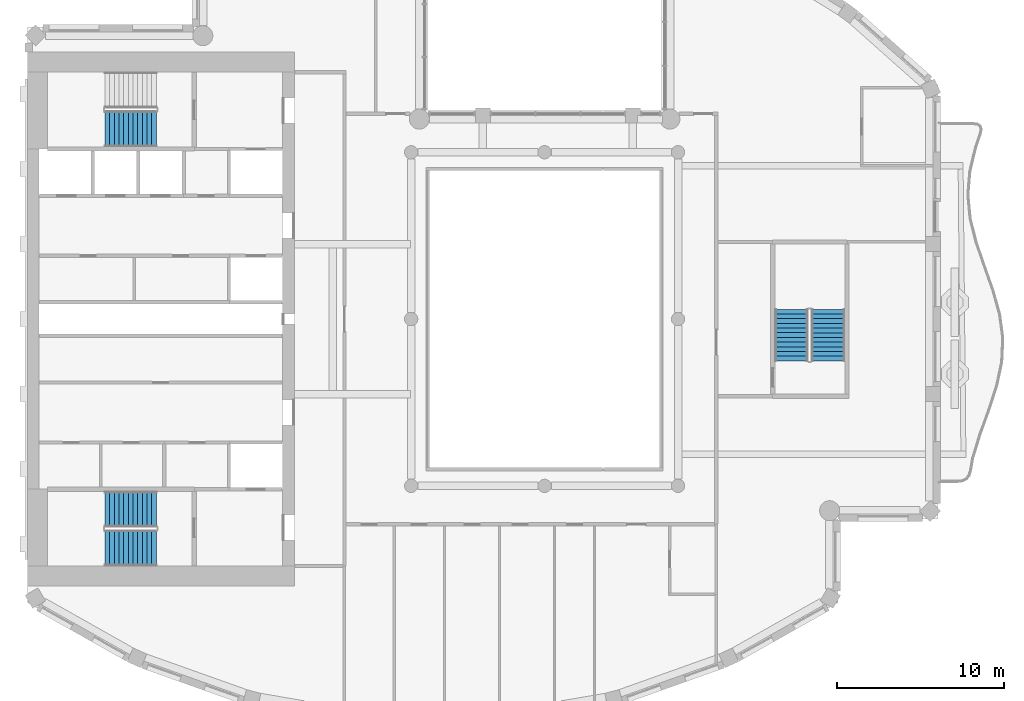
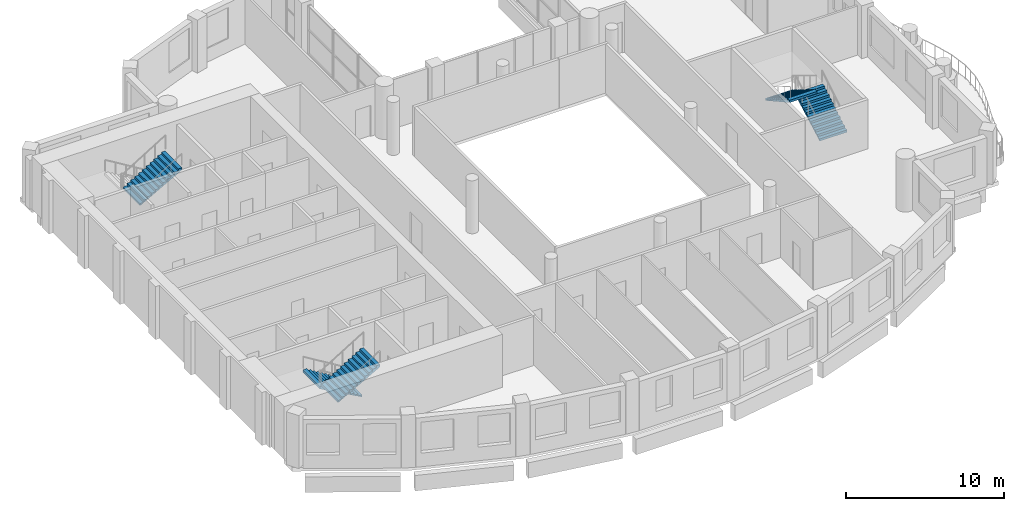
# One storey, part 9 of 15: 5 stair flights, 3 elements without a shape of their own.
"""IFC4 building model written with IfcOpenShell, lengths in metres."""

from ifc_helpers import new_model, si_unit, direction, frame, origin, place, context, subcontext, project, spatial, triangles, material, type_object, element, aggregate, save


model = new_model("IFC4")

# Units and contexts
model_context = context("Model", 3, precision=1e-05, world=origin(), true_north=direction((0.0, 1.0)))
body_context = subcontext(model_context, "Body", "Model", "MODEL_VIEW")
ifc_project = project(units=[si_unit("LENGTHUNIT", "METRE"), si_unit("AREAUNIT", "SQUARE_METRE"), si_unit("VOLUMEUNIT", "CUBIC_METRE"), si_unit("PLANEANGLEUNIT", "RADIAN"), si_unit("MASSUNIT", "GRAM", prefix="KILO")], contexts=[model_context])

# Site, building, storey
site_placement = place(None, origin())
site = spatial("IfcSite", under=ifc_project, at=site_placement, CompositionType="ELEMENT")
building_placement = place(site_placement, origin())
building = spatial("IfcBuilding", under=site, at=building_placement, Name="Cypress Arch Tower", CompositionType="ELEMENT")
storey_placement = place(building_placement, frame((0.0, 0.0, 309.0)))
storey = spatial("IfcBuildingStorey", under=building, at=storey_placement, Name="L70", CompositionType="ELEMENT", Elevation=309.0)

# Stair, stair flights
ifc_material_1 = material(Name="Concrete C40/50", Category="concrete")
stair_type_1 = type_object("IfcStairType", Name="Exit stair ES1708-200", PredefinedType="HALF_TURN_STAIR", material=ifc_material_1)
stair_1_placement = place(storey_placement, origin())
stair_1 = element("IfcStair", 1, at=stair_1_placement, inside=storey, type_object=stair_type_1, Name="L70 Exit stair C", PredefinedType="HALF_TURN_STAIR")
ifc_material_2 = material(Name="Concrete C40/50", Category="concrete")
stair_flight_type_1 = type_object("IfcStairFlightType", Name="Exit stair flight ES1708-200", PredefinedType="STRAIGHT", material=ifc_material_2)
stair_flight_1_placement = place(storey_placement, frame((18.0, -2.5, 0.0), z_axis=(0.0, 0.0, 1.0), x_axis=(0.0, 1.0, 0.0)))
stair_flight_1 = element("IfcStairFlight", 2, at=stair_flight_1_placement, type_object=stair_flight_type_1, Name="C flight 1", NumberOfRisers=12, NumberOfTreads=11, PredefinedType="STRAIGHT", RiserHeight=0.170833333, TreadLength=0.28, context=body_context, shape_type="Tessellation", body=[
    triangles([(0.0, -1.0, 0.0), (0.0, -1.0, 0.1708984375), (0.280029296875, -1.0, 0.1708984375), (0.280029296875, -1.0, 0.341552734375), (0.56005859375, -1.0, 0.341552734375), (0.56005859375, -1.0, 0.512451171875), (0.840087890625, -1.0, 0.512451171875), (0.840087890625, -1.0, 0.683349609375), (1.1201171875, -1.0, 0.683349609375), (1.1201171875, -1.0, 0.854248046875), (1.39990234375, -1.0, 0.854248046875), (1.39990234375, -1.0, 1.02490234375), (1.679931640625, -1.0, 1.02490234375), (1.679931640625, -1.0, 1.19580078125), (1.9599609375, -1.0, 1.19580078125), (1.9599609375, -1.0, 1.36669921875), (2.239990234375, -1.0, 1.36669921875), (2.239990234375, -1.0, 1.53759765625), (2.52001953125, -1.0, 1.53759765625), (2.52001953125, -1.0, 1.708251953125), (2.800048828125, -1.0, 1.708251953125), (2.800048828125, -1.0, 1.879150390625), (3.080078125, -1.0, 1.879150390625), (3.080078125, -1.0, 1.70361328125), (3.080078125, 1.0, 1.70361328125), (3.080078125, 1.0, 1.879150390625), (2.800048828125, 1.0, 1.879150390625), (2.800048828125, 1.0, 1.708251953125), (2.52001953125, 1.0, 1.708251953125), (2.52001953125, 1.0, 1.53759765625), (2.239990234375, 1.0, 1.53759765625), (2.239990234375, 1.0, 1.36669921875), (1.9599609375, 1.0, 1.36669921875), (1.9599609375, 1.0, 1.19580078125), (1.679931640625, 1.0, 1.19580078125), (1.679931640625, 1.0, 1.02490234375), (1.39990234375, 1.0, 1.02490234375), (1.39990234375, 1.0, 0.854248046875), (1.1201171875, 1.0, 0.854248046875), (1.1201171875, 1.0, 0.683349609375), (0.840087890625, 1.0, 0.683349609375), (0.840087890625, 1.0, 0.512451171875), (0.56005859375, 1.0, 0.512451171875), (0.56005859375, 1.0, 0.341552734375), (0.280029296875, 1.0, 0.341552734375), (0.280029296875, 1.0, 0.1708984375), (0.0, 1.0, 0.1708984375), (0.0, 1.0, 0.0), (3.080078125, 0.0, 1.879150390625), (3.080078125, 0.0, 1.70361328125), (2.800048828125, 0.0, 1.879150390625), (2.800048828125, 0.0, 1.708251953125), (2.52001953125, 0.0, 1.708251953125), (2.52001953125, 0.0, 1.53759765625), (2.239990234375, 0.0, 1.53759765625), (2.239990234375, 0.0, 1.36669921875), (1.9599609375, 0.0, 1.36669921875), (1.9599609375, 0.0, 1.19580078125), (1.679931640625, 0.0, 1.19580078125), (1.679931640625, 0.0, 1.02490234375), (1.39990234375, 0.0, 1.02490234375), (1.39990234375, 0.0, 0.854248046875), (1.1201171875, 0.0, 0.854248046875), (1.1201171875, 0.0, 0.683349609375), (0.840087890625, 0.0, 0.683349609375), (0.840087890625, 0.0, 0.512451171875), (0.56005859375, 0.0, 0.512451171875), (0.56005859375, 0.0, 0.341552734375), (0.280029296875, 0.0, 0.341552734375), (0.280029296875, 0.0, 0.1708984375), (0.0, 0.0, 0.1708984375), (0.0, 0.0, 0.0)], [[24, 23, 22], [11, 10, 9], [19, 18, 17], [17, 16, 15], [15, 14, 13], [9, 8, 7], [7, 6, 5], [3, 2, 1], [21, 20, 19], [13, 12, 11], [5, 4, 3], [24, 22, 21], [24, 21, 19], [24, 19, 17], [24, 17, 15], [24, 15, 13], [24, 13, 11], [24, 11, 9], [24, 9, 7], [24, 7, 5], [1, 24, 5], [5, 3, 1], [25, 27, 26], [38, 40, 39], [30, 32, 31], [32, 34, 33], [34, 36, 35], [40, 42, 41], [42, 44, 43], [46, 48, 47], [28, 30, 29], [36, 38, 37], [44, 46, 45], [25, 28, 27], [25, 30, 28], [25, 32, 30], [25, 34, 32], [25, 36, 34], [25, 38, 36], [25, 40, 38], [25, 42, 40], [25, 44, 42], [48, 44, 25], [44, 48, 46], [50, 49, 23], [50, 23, 24], [25, 26, 49], [25, 49, 50], [49, 51, 22], [49, 22, 23], [26, 27, 51], [26, 51, 49], [51, 52, 21], [51, 21, 22], [27, 28, 52], [27, 52, 51], [52, 53, 20], [52, 20, 21], [28, 29, 53], [28, 53, 52], [53, 54, 19], [53, 19, 20], [29, 30, 54], [29, 54, 53], [54, 55, 18], [54, 18, 19], [30, 31, 55], [30, 55, 54], [55, 56, 17], [55, 17, 18], [31, 32, 56], [31, 56, 55], [56, 57, 16], [56, 16, 17], [32, 33, 57], [32, 57, 56], [57, 58, 15], [57, 15, 16], [33, 34, 58], [33, 58, 57], [58, 59, 14], [58, 14, 15], [34, 35, 59], [34, 59, 58], [59, 60, 13], [59, 13, 14], [35, 36, 60], [35, 60, 59], [60, 61, 12], [60, 12, 13], [36, 37, 61], [36, 61, 60], [61, 62, 11], [61, 11, 12], [37, 38, 62], [37, 62, 61], [62, 63, 10], [62, 10, 11], [38, 39, 63], [38, 63, 62], [63, 64, 9], [63, 9, 10], [39, 40, 64], [39, 64, 63], [64, 65, 8], [64, 8, 9], [40, 41, 65], [40, 65, 64], [65, 66, 7], [65, 7, 8], [41, 42, 66], [41, 66, 65], [66, 67, 6], [66, 6, 7], [42, 43, 67], [42, 67, 66], [67, 68, 5], [67, 5, 6], [43, 44, 68], [43, 68, 67], [68, 69, 4], [68, 4, 5], [44, 45, 69], [44, 69, 68], [69, 70, 3], [69, 3, 4], [45, 46, 70], [45, 70, 69], [70, 71, 2], [70, 2, 3], [46, 47, 71], [46, 71, 70], [71, 72, 1], [71, 1, 2], [47, 48, 72], [47, 72, 71], [72, 50, 24], [72, 24, 1], [48, 25, 50], [48, 50, 72]], closed=True),
])
stair_flight_2_placement = place(storey_placement, frame((15.800048828125, 0.580078125, 2.050048828125), z_axis=(0.0, 0.0, 1.0), x_axis=(0.0, -1.0, 0.0)))
stair_flight_2 = element("IfcStairFlight", 3, at=stair_flight_2_placement, type_object=stair_flight_type_1, Name="C flight 2", NumberOfRisers=12, NumberOfTreads=11, PredefinedType="STRAIGHT", RiserHeight=0.170833333, TreadLength=0.28, context=body_context, shape_type="Tessellation", body=[
    triangles([(0.0, -1.0, 0.0), (0.0, -1.0, 0.1708984375), (0.280029296875, -1.0, 0.1708984375), (0.280029296875, -1.0, 0.341552734375), (0.56005859375, -1.0, 0.341552734375), (0.56005859375, -1.0, 0.512451171875), (0.840087890625, -1.0, 0.512451171875), (0.840087890625, -1.0, 0.683349609375), (1.1201171875, -1.0, 0.683349609375), (1.1201171875, -1.0, 0.854248046875), (1.39990234375, -1.0, 0.854248046875), (1.39990234375, -1.0, 1.02490234375), (1.679931640625, -1.0, 1.02490234375), (1.679931640625, -1.0, 1.19580078125), (1.9599609375, -1.0, 1.19580078125), (1.9599609375, -1.0, 1.36669921875), (2.239990234375, -1.0, 1.36669921875), (2.239990234375, -1.0, 1.53759765625), (2.52001953125, -1.0, 1.53759765625), (2.52001953125, -1.0, 1.708251953125), (2.800048828125, -1.0, 1.708251953125), (2.800048828125, -1.0, 1.879150390625), (3.080078125, -1.0, 1.879150390625), (3.080078125, -1.0, 1.70361328125), (3.080078125, 1.0, 1.70361328125), (3.080078125, 1.0, 1.879150390625), (2.800048828125, 1.0, 1.879150390625), (2.800048828125, 1.0, 1.708251953125), (2.52001953125, 1.0, 1.708251953125), (2.52001953125, 1.0, 1.53759765625), (2.239990234375, 1.0, 1.53759765625), (2.239990234375, 1.0, 1.36669921875), (1.9599609375, 1.0, 1.36669921875), (1.9599609375, 1.0, 1.19580078125), (1.679931640625, 1.0, 1.19580078125), (1.679931640625, 1.0, 1.02490234375), (1.39990234375, 1.0, 1.02490234375), (1.39990234375, 1.0, 0.854248046875), (1.1201171875, 1.0, 0.854248046875), (1.1201171875, 1.0, 0.683349609375), (0.840087890625, 1.0, 0.683349609375), (0.840087890625, 1.0, 0.512451171875), (0.56005859375, 1.0, 0.512451171875), (0.56005859375, 1.0, 0.341552734375), (0.280029296875, 1.0, 0.341552734375), (0.280029296875, 1.0, 0.1708984375), (0.0, 1.0, 0.1708984375), (0.0, 1.0, 0.0), (3.080078125, 0.0, 1.879150390625), (3.080078125, 0.0, 1.70361328125), (2.800048828125, 0.0, 1.879150390625), (2.800048828125, 0.0, 1.708251953125), (2.52001953125, 0.0, 1.708251953125), (2.52001953125, 0.0, 1.53759765625), (2.239990234375, 0.0, 1.53759765625), (2.239990234375, 0.0, 1.36669921875), (1.9599609375, 0.0, 1.36669921875), (1.9599609375, 0.0, 1.19580078125), (1.679931640625, 0.0, 1.19580078125), (1.679931640625, 0.0, 1.02490234375), (1.39990234375, 0.0, 1.02490234375), (1.39990234375, 0.0, 0.854248046875), (1.1201171875, 0.0, 0.854248046875), (1.1201171875, 0.0, 0.683349609375), (0.840087890625, 0.0, 0.683349609375), (0.840087890625, 0.0, 0.512451171875), (0.56005859375, 0.0, 0.512451171875), (0.56005859375, 0.0, 0.341552734375), (0.280029296875, 0.0, 0.341552734375), (0.280029296875, 0.0, 0.1708984375), (0.0, 0.0, 0.1708984375), (0.0, 0.0, 0.0)], [[24, 23, 22], [11, 10, 9], [19, 18, 17], [17, 16, 15], [15, 14, 13], [9, 8, 7], [7, 6, 5], [3, 2, 1], [21, 20, 19], [13, 12, 11], [5, 4, 3], [24, 22, 21], [24, 21, 19], [24, 19, 17], [24, 17, 15], [24, 15, 13], [24, 13, 11], [24, 11, 9], [24, 9, 7], [24, 7, 5], [1, 24, 5], [5, 3, 1], [25, 27, 26], [38, 40, 39], [30, 32, 31], [32, 34, 33], [34, 36, 35], [40, 42, 41], [42, 44, 43], [46, 48, 47], [28, 30, 29], [36, 38, 37], [44, 46, 45], [25, 28, 27], [25, 30, 28], [25, 32, 30], [25, 34, 32], [25, 36, 34], [25, 38, 36], [25, 40, 38], [25, 42, 40], [25, 44, 42], [48, 44, 25], [44, 48, 46], [50, 49, 23], [50, 23, 24], [25, 26, 49], [25, 49, 50], [49, 51, 22], [49, 22, 23], [26, 27, 51], [26, 51, 49], [51, 52, 21], [51, 21, 22], [27, 28, 52], [27, 52, 51], [52, 53, 20], [52, 20, 21], [28, 29, 53], [28, 53, 52], [53, 54, 19], [53, 19, 20], [29, 30, 54], [29, 54, 53], [54, 55, 18], [54, 18, 19], [30, 31, 55], [30, 55, 54], [55, 56, 17], [55, 17, 18], [31, 32, 56], [31, 56, 55], [56, 57, 16], [56, 16, 17], [32, 33, 57], [32, 57, 56], [57, 58, 15], [57, 15, 16], [33, 34, 58], [33, 58, 57], [58, 59, 14], [58, 14, 15], [34, 35, 59], [34, 59, 58], [59, 60, 13], [59, 13, 14], [35, 36, 60], [35, 60, 59], [60, 61, 12], [60, 12, 13], [36, 37, 61], [36, 61, 60], [61, 62, 11], [61, 11, 12], [37, 38, 62], [37, 62, 61], [62, 63, 10], [62, 10, 11], [38, 39, 63], [38, 63, 62], [63, 64, 9], [63, 9, 10], [39, 40, 64], [39, 64, 63], [64, 65, 8], [64, 8, 9], [40, 41, 65], [40, 65, 64], [65, 66, 7], [65, 7, 8], [41, 42, 66], [41, 66, 65], [66, 67, 6], [66, 6, 7], [42, 43, 67], [42, 67, 66], [67, 68, 5], [67, 5, 6], [43, 44, 68], [43, 68, 67], [68, 69, 4], [68, 4, 5], [44, 45, 69], [44, 69, 68], [69, 70, 3], [69, 3, 4], [45, 46, 70], [45, 70, 69], [70, 71, 2], [70, 2, 3], [46, 47, 71], [46, 71, 70], [71, 72, 1], [71, 1, 2], [47, 48, 72], [47, 72, 71], [72, 50, 24], [72, 24, 1], [48, 25, 50], [48, 50, 72]], closed=True),
])
aggregate(stair_1, [stair_flight_1, stair_flight_2])

ifc_material_3 = material(Name="Concrete C40/50", Category="concrete")
stair_type_2 = type_object("IfcStairType", Name="Exit stair ES1708-215", PredefinedType="HALF_TURN_STAIR", material=ifc_material_3)
stair_2_placement = place(storey_placement, origin())
stair_2 = element("IfcStair", 4, at=stair_2_placement, inside=storey, type_object=stair_type_2, Name="L70 Exit stair A", PredefinedType="HALF_TURN_STAIR")
ifc_material_4 = material(Name="Concrete C40/50", Category="concrete")
stair_flight_type_2 = type_object("IfcStairFlightType", Name="Exit stair flight ES1708-215", PredefinedType="STRAIGHT", material=ifc_material_4)
stair_flight_3_placement = place(storey_placement, frame((-22.27490234375, -11.39990234375, 0.0), z_axis=(0.0, 0.0, 1.0), x_axis=(-1.0, 0.0, 0.0)))
stair_flight_3 = element("IfcStairFlight", 5, at=stair_flight_3_placement, type_object=stair_flight_type_2, Name="A flight 1", NumberOfRisers=12, NumberOfTreads=11, PredefinedType="STRAIGHT", RiserHeight=0.170833333, TreadLength=0.28, context=body_context, shape_type="Tessellation", body=[
    triangles([(0.0, -1.074951171875, 0.0), (0.000244140625, -1.074951171875, 0.01904296875), (0.000244140625, -1.074951171875, 0.0380859375), (0.00048828125, -1.074951171875, 0.056884765625), (0.00048828125, -1.074951171875, 0.075927734375), (0.00048828125, -1.074951171875, 0.094970703125), (0.00048828125, -1.074951171875, 0.114013671875), (0.000244140625, -1.074951171875, 0.1328125), (0.000244140625, -1.074951171875, 0.15185546875), (0.0, -1.074951171875, 0.1708984375), (0.280029296875, -1.074951171875, 0.1708984375), (0.280029296875, -1.074951171875, 0.341552734375), (0.56005859375, -1.074951171875, 0.341552734375), (0.56005859375, -1.074951171875, 0.512451171875), (0.840087890625, -1.074951171875, 0.512451171875), (0.840087890625, -1.074951171875, 0.683349609375), (1.1201171875, -1.074951171875, 0.683349609375), (1.1201171875, -1.074951171875, 0.854248046875), (1.39990234375, -1.074951171875, 0.854248046875), (1.39990234375, -1.074951171875, 1.02490234375), (1.679931640625, -1.074951171875, 1.02490234375), (1.679931640625, -1.074951171875, 1.19580078125), (1.9599609375, -1.074951171875, 1.19580078125), (1.9599609375, -1.074951171875, 1.36669921875), (2.239990234375, -1.074951171875, 1.36669921875), (2.239990234375, -1.074951171875, 1.53759765625), (2.52001953125, -1.074951171875, 1.53759765625), (2.52001953125, -1.074951171875, 1.708251953125), (2.800048828125, -1.074951171875, 1.708251953125), (2.800048828125, -1.074951171875, 1.879150390625), (3.080078125, -1.074951171875, 1.879150390625), (3.079833984375, -1.074951171875, 1.859619140625), (3.079833984375, -1.074951171875, 1.840087890625), (3.07958984375, -1.074951171875, 1.820556640625), (3.07958984375, -1.074951171875, 1.801025390625), (3.07958984375, -1.074951171875, 1.78173828125), (3.07958984375, -1.074951171875, 1.76220703125), (3.079833984375, -1.074951171875, 1.74267578125), (3.079833984375, -1.074951171875, 1.72314453125), (3.080078125, -1.074951171875, 1.70361328125), (3.080078125, 1.074951171875, 1.70361328125), (3.079833984375, 1.074951171875, 1.72314453125), (3.079833984375, 1.074951171875, 1.74267578125), (3.07958984375, 1.074951171875, 1.76220703125), (3.07958984375, 1.074951171875, 1.78173828125), (3.07958984375, 1.074951171875, 1.801025390625), (3.07958984375, 1.074951171875, 1.820556640625), (3.079833984375, 1.074951171875, 1.840087890625), (3.079833984375, 1.074951171875, 1.859619140625), (3.080078125, 1.074951171875, 1.879150390625), (2.800048828125, 1.074951171875, 1.879150390625), (2.800048828125, 1.074951171875, 1.708251953125), (2.52001953125, 1.074951171875, 1.708251953125), (2.52001953125, 1.074951171875, 1.53759765625), (2.239990234375, 1.074951171875, 1.53759765625), (2.239990234375, 1.074951171875, 1.36669921875), (1.9599609375, 1.074951171875, 1.36669921875), (1.9599609375, 1.074951171875, 1.19580078125), (1.679931640625, 1.074951171875, 1.19580078125), (1.679931640625, 1.074951171875, 1.02490234375), (1.39990234375, 1.074951171875, 1.02490234375), (1.39990234375, 1.074951171875, 0.854248046875), (1.1201171875, 1.074951171875, 0.854248046875), (1.1201171875, 1.074951171875, 0.683349609375), (0.840087890625, 1.074951171875, 0.683349609375), (0.840087890625, 1.074951171875, 0.512451171875), (0.56005859375, 1.074951171875, 0.512451171875), (0.56005859375, 1.074951171875, 0.341552734375), (0.280029296875, 1.074951171875, 0.341552734375), (0.280029296875, 1.074951171875, 0.1708984375), (0.0, 1.074951171875, 0.1708984375), (0.000244140625, 1.074951171875, 0.15185546875), (0.000244140625, 1.074951171875, 0.1328125), (0.00048828125, 1.074951171875, 0.114013671875), (0.00048828125, 1.074951171875, 0.094970703125), (0.00048828125, 1.074951171875, 0.075927734375), (0.00048828125, 1.074951171875, 0.056884765625), (0.000244140625, 1.074951171875, 0.0380859375), (0.000244140625, 1.074951171875, 0.01904296875), (0.0, 1.074951171875, 0.0)], [[40, 39, 30], [39, 38, 30], [38, 37, 30], [37, 36, 30], [36, 35, 30], [35, 34, 30], [34, 33, 30], [33, 32, 30], [32, 31, 30], [19, 18, 17], [27, 26, 25], [25, 24, 23], [23, 22, 21], [17, 16, 15], [15, 14, 13], [10, 9, 11], [9, 8, 11], [8, 7, 11], [7, 6, 11], [6, 5, 11], [5, 4, 11], [4, 3, 11], [3, 2, 11], [2, 1, 11], [29, 28, 27], [21, 20, 19], [13, 12, 11], [40, 30, 29], [40, 29, 27], [40, 27, 25], [40, 25, 23], [40, 23, 21], [40, 21, 19], [40, 19, 17], [40, 17, 15], [40, 15, 13], [1, 40, 13], [13, 11, 1], [41, 51, 42], [42, 51, 43], [43, 51, 44], [44, 51, 45], [45, 51, 46], [46, 51, 47], [47, 51, 48], [48, 51, 49], [49, 51, 50], [62, 64, 63], [54, 56, 55], [56, 58, 57], [58, 60, 59], [64, 66, 65], [66, 68, 67], [71, 70, 72], [72, 70, 73], [73, 70, 74], [74, 70, 75], [75, 70, 76], [76, 70, 77], [77, 70, 78], [78, 70, 79], [79, 70, 80], [52, 54, 53], [60, 62, 61], [68, 70, 69], [41, 52, 51], [41, 54, 52], [41, 56, 54], [41, 58, 56], [41, 60, 58], [41, 62, 60], [41, 64, 62], [41, 66, 64], [41, 68, 66], [80, 68, 41], [68, 80, 70], [41, 42, 39], [41, 39, 40], [42, 43, 38], [42, 38, 39], [43, 44, 37], [43, 37, 38], [44, 45, 36], [44, 36, 37], [45, 46, 35], [45, 35, 36], [46, 47, 34], [46, 34, 35], [47, 48, 33], [47, 33, 34], [48, 49, 32], [48, 32, 33], [49, 50, 31], [49, 31, 32], [50, 51, 30], [50, 30, 31], [51, 52, 29], [51, 29, 30], [52, 53, 28], [52, 28, 29], [53, 54, 27], [53, 27, 28], [54, 55, 26], [54, 26, 27], [55, 56, 25], [55, 25, 26], [56, 57, 24], [56, 24, 25], [57, 58, 23], [57, 23, 24], [58, 59, 22], [58, 22, 23], [59, 60, 21], [59, 21, 22], [60, 61, 20], [60, 20, 21], [61, 62, 19], [61, 19, 20], [62, 63, 18], [62, 18, 19], [63, 64, 17], [63, 17, 18], [64, 65, 16], [64, 16, 17], [65, 66, 15], [65, 15, 16], [66, 67, 14], [66, 14, 15], [67, 68, 13], [67, 13, 14], [68, 69, 12], [68, 12, 13], [69, 70, 11], [69, 11, 12], [70, 71, 10], [70, 10, 11], [71, 72, 9], [71, 9, 10], [72, 73, 8], [72, 8, 9], [73, 74, 7], [73, 7, 8], [74, 75, 6], [74, 6, 7], [75, 76, 5], [75, 5, 6], [76, 77, 4], [76, 4, 5], [77, 78, 3], [77, 3, 4], [78, 79, 2], [78, 2, 3], [79, 80, 1], [79, 1, 2], [80, 41, 40], [80, 40, 1]], closed=True),
])
stair_flight_4_placement = place(storey_placement, frame((-25.35498046875, -13.72509765625, 2.050048828125), z_axis=(0.0, 0.0, 1.0), x_axis=(1.0, 0.0, 0.0)))
stair_flight_4 = element("IfcStairFlight", 6, at=stair_flight_4_placement, type_object=stair_flight_type_2, Name="A flight 2", NumberOfRisers=12, NumberOfTreads=11, PredefinedType="STRAIGHT", RiserHeight=0.170833333, TreadLength=0.28, context=body_context, shape_type="Tessellation", body=[
    triangles([(0.0, -1.074951171875, 0.0), (0.000244140625, -1.074951171875, 0.01904296875), (0.000244140625, -1.074951171875, 0.0380859375), (0.00048828125, -1.074951171875, 0.056884765625), (0.00048828125, -1.074951171875, 0.075927734375), (0.00048828125, -1.074951171875, 0.094970703125), (0.00048828125, -1.074951171875, 0.114013671875), (0.000244140625, -1.074951171875, 0.1328125), (0.000244140625, -1.074951171875, 0.15185546875), (0.0, -1.074951171875, 0.1708984375), (0.280029296875, -1.074951171875, 0.1708984375), (0.280029296875, -1.074951171875, 0.341552734375), (0.56005859375, -1.074951171875, 0.341552734375), (0.56005859375, -1.074951171875, 0.512451171875), (0.840087890625, -1.074951171875, 0.512451171875), (0.840087890625, -1.074951171875, 0.683349609375), (1.1201171875, -1.074951171875, 0.683349609375), (1.1201171875, -1.074951171875, 0.854248046875), (1.39990234375, -1.074951171875, 0.854248046875), (1.39990234375, -1.074951171875, 1.02490234375), (1.679931640625, -1.074951171875, 1.02490234375), (1.679931640625, -1.074951171875, 1.19580078125), (1.9599609375, -1.074951171875, 1.19580078125), (1.9599609375, -1.074951171875, 1.36669921875), (2.239990234375, -1.074951171875, 1.36669921875), (2.239990234375, -1.074951171875, 1.53759765625), (2.52001953125, -1.074951171875, 1.53759765625), (2.52001953125, -1.074951171875, 1.708251953125), (2.800048828125, -1.074951171875, 1.708251953125), (2.800048828125, -1.074951171875, 1.879150390625), (3.080078125, -1.074951171875, 1.879150390625), (3.079833984375, -1.074951171875, 1.859619140625), (3.079833984375, -1.074951171875, 1.840087890625), (3.07958984375, -1.074951171875, 1.820556640625), (3.07958984375, -1.074951171875, 1.801025390625), (3.07958984375, -1.074951171875, 1.78173828125), (3.07958984375, -1.074951171875, 1.76220703125), (3.079833984375, -1.074951171875, 1.74267578125), (3.079833984375, -1.074951171875, 1.72314453125), (3.080078125, -1.074951171875, 1.70361328125), (3.080078125, 1.074951171875, 1.70361328125), (3.079833984375, 1.074951171875, 1.72314453125), (3.079833984375, 1.074951171875, 1.74267578125), (3.07958984375, 1.074951171875, 1.76220703125), (3.07958984375, 1.074951171875, 1.78173828125), (3.07958984375, 1.074951171875, 1.801025390625), (3.07958984375, 1.074951171875, 1.820556640625), (3.079833984375, 1.074951171875, 1.840087890625), (3.079833984375, 1.074951171875, 1.859619140625), (3.080078125, 1.074951171875, 1.879150390625), (2.800048828125, 1.074951171875, 1.879150390625), (2.800048828125, 1.074951171875, 1.708251953125), (2.52001953125, 1.074951171875, 1.708251953125), (2.52001953125, 1.074951171875, 1.53759765625), (2.239990234375, 1.074951171875, 1.53759765625), (2.239990234375, 1.074951171875, 1.36669921875), (1.9599609375, 1.074951171875, 1.36669921875), (1.9599609375, 1.074951171875, 1.19580078125), (1.679931640625, 1.074951171875, 1.19580078125), (1.679931640625, 1.074951171875, 1.02490234375), (1.39990234375, 1.074951171875, 1.02490234375), (1.39990234375, 1.074951171875, 0.854248046875), (1.1201171875, 1.074951171875, 0.854248046875), (1.1201171875, 1.074951171875, 0.683349609375), (0.840087890625, 1.074951171875, 0.683349609375), (0.840087890625, 1.074951171875, 0.512451171875), (0.56005859375, 1.074951171875, 0.512451171875), (0.56005859375, 1.074951171875, 0.341552734375), (0.280029296875, 1.074951171875, 0.341552734375), (0.280029296875, 1.074951171875, 0.1708984375), (0.0, 1.074951171875, 0.1708984375), (0.000244140625, 1.074951171875, 0.15185546875), (0.000244140625, 1.074951171875, 0.1328125), (0.00048828125, 1.074951171875, 0.114013671875), (0.00048828125, 1.074951171875, 0.094970703125), (0.00048828125, 1.074951171875, 0.075927734375), (0.00048828125, 1.074951171875, 0.056884765625), (0.000244140625, 1.074951171875, 0.0380859375), (0.000244140625, 1.074951171875, 0.01904296875), (0.0, 1.074951171875, 0.0)], [[40, 39, 30], [39, 38, 30], [38, 37, 30], [37, 36, 30], [36, 35, 30], [35, 34, 30], [34, 33, 30], [33, 32, 30], [32, 31, 30], [19, 18, 17], [27, 26, 25], [25, 24, 23], [23, 22, 21], [17, 16, 15], [15, 14, 13], [10, 9, 11], [9, 8, 11], [8, 7, 11], [7, 6, 11], [6, 5, 11], [5, 4, 11], [4, 3, 11], [3, 2, 11], [2, 1, 11], [29, 28, 27], [21, 20, 19], [13, 12, 11], [40, 30, 29], [40, 29, 27], [40, 27, 25], [40, 25, 23], [40, 23, 21], [40, 21, 19], [40, 19, 17], [40, 17, 15], [40, 15, 13], [1, 40, 13], [13, 11, 1], [41, 51, 42], [42, 51, 43], [43, 51, 44], [44, 51, 45], [45, 51, 46], [46, 51, 47], [47, 51, 48], [48, 51, 49], [49, 51, 50], [62, 64, 63], [54, 56, 55], [56, 58, 57], [58, 60, 59], [64, 66, 65], [66, 68, 67], [71, 70, 72], [72, 70, 73], [73, 70, 74], [74, 70, 75], [75, 70, 76], [76, 70, 77], [77, 70, 78], [78, 70, 79], [79, 70, 80], [52, 54, 53], [60, 62, 61], [68, 70, 69], [41, 52, 51], [41, 54, 52], [41, 56, 54], [41, 58, 56], [41, 60, 58], [41, 62, 60], [41, 64, 62], [41, 66, 64], [41, 68, 66], [80, 68, 41], [68, 80, 70], [41, 42, 39], [41, 39, 40], [42, 43, 38], [42, 38, 39], [43, 44, 37], [43, 37, 38], [44, 45, 36], [44, 36, 37], [45, 46, 35], [45, 35, 36], [46, 47, 34], [46, 34, 35], [47, 48, 33], [47, 33, 34], [48, 49, 32], [48, 32, 33], [49, 50, 31], [49, 31, 32], [50, 51, 30], [50, 30, 31], [51, 52, 29], [51, 29, 30], [52, 53, 28], [52, 28, 29], [53, 54, 27], [53, 27, 28], [54, 55, 26], [54, 26, 27], [55, 56, 25], [55, 25, 26], [56, 57, 24], [56, 24, 25], [57, 58, 23], [57, 23, 24], [58, 59, 22], [58, 22, 23], [59, 60, 21], [59, 21, 22], [60, 61, 20], [60, 20, 21], [61, 62, 19], [61, 19, 20], [62, 63, 18], [62, 18, 19], [63, 64, 17], [63, 17, 18], [64, 65, 16], [64, 16, 17], [65, 66, 15], [65, 15, 16], [66, 67, 14], [66, 14, 15], [67, 68, 13], [67, 13, 14], [68, 69, 12], [68, 12, 13], [69, 70, 11], [69, 11, 12], [70, 71, 10], [70, 10, 11], [71, 72, 9], [71, 9, 10], [72, 73, 8], [72, 8, 9], [73, 74, 7], [73, 7, 8], [74, 75, 6], [74, 6, 7], [75, 76, 5], [75, 5, 6], [76, 77, 4], [76, 4, 5], [77, 78, 3], [77, 3, 4], [78, 79, 2], [78, 2, 3], [79, 80, 1], [79, 1, 2], [80, 41, 40], [80, 40, 1]], closed=True),
])
aggregate(stair_2, [stair_flight_3, stair_flight_4])

# Stair, stair flight
stair_3_placement = place(storey_placement, origin())
stair_3 = element("IfcStair", 7, at=stair_3_placement, inside=storey, type_object=stair_type_2, Name="L70 Exit stair B", PredefinedType="HALF_TURN_STAIR")
stair_flight_5_placement = place(storey_placement, frame((-25.35498046875, 11.39990234375, 2.050048828125), z_axis=(0.0, 0.0, 1.0), x_axis=(1.0, 0.0, 0.0)))
stair_flight_5 = element("IfcStairFlight", 8, at=stair_flight_5_placement, type_object=stair_flight_type_2, Name="B flight 2", NumberOfRisers=12, NumberOfTreads=11, PredefinedType="STRAIGHT", RiserHeight=0.170833333, TreadLength=0.28, context=body_context, shape_type="Tessellation", body=[
    triangles([(0.0, -1.074951171875, 0.0), (0.000244140625, -1.074951171875, 0.01904296875), (0.000244140625, -1.074951171875, 0.0380859375), (0.00048828125, -1.074951171875, 0.056884765625), (0.00048828125, -1.074951171875, 0.075927734375), (0.00048828125, -1.074951171875, 0.094970703125), (0.00048828125, -1.074951171875, 0.114013671875), (0.000244140625, -1.074951171875, 0.1328125), (0.000244140625, -1.074951171875, 0.15185546875), (0.0, -1.074951171875, 0.1708984375), (0.280029296875, -1.074951171875, 0.1708984375), (0.280029296875, -1.074951171875, 0.341552734375), (0.56005859375, -1.074951171875, 0.341552734375), (0.56005859375, -1.074951171875, 0.512451171875), (0.840087890625, -1.074951171875, 0.512451171875), (0.840087890625, -1.074951171875, 0.683349609375), (1.1201171875, -1.074951171875, 0.683349609375), (1.1201171875, -1.074951171875, 0.854248046875), (1.39990234375, -1.074951171875, 0.854248046875), (1.39990234375, -1.074951171875, 1.02490234375), (1.679931640625, -1.074951171875, 1.02490234375), (1.679931640625, -1.074951171875, 1.19580078125), (1.9599609375, -1.074951171875, 1.19580078125), (1.9599609375, -1.074951171875, 1.36669921875), (2.239990234375, -1.074951171875, 1.36669921875), (2.239990234375, -1.074951171875, 1.53759765625), (2.52001953125, -1.074951171875, 1.53759765625), (2.52001953125, -1.074951171875, 1.708251953125), (2.800048828125, -1.074951171875, 1.708251953125), (2.800048828125, -1.074951171875, 1.879150390625), (3.080078125, -1.074951171875, 1.879150390625), (3.079833984375, -1.074951171875, 1.859619140625), (3.079833984375, -1.074951171875, 1.840087890625), (3.07958984375, -1.074951171875, 1.820556640625), (3.07958984375, -1.074951171875, 1.801025390625), (3.07958984375, -1.074951171875, 1.78173828125), (3.07958984375, -1.074951171875, 1.76220703125), (3.079833984375, -1.074951171875, 1.74267578125), (3.079833984375, -1.074951171875, 1.72314453125), (3.080078125, -1.074951171875, 1.70361328125), (3.080078125, 1.074951171875, 1.70361328125), (3.079833984375, 1.074951171875, 1.72314453125), (3.079833984375, 1.074951171875, 1.74267578125), (3.07958984375, 1.074951171875, 1.76220703125), (3.07958984375, 1.074951171875, 1.78173828125), (3.07958984375, 1.074951171875, 1.801025390625), (3.07958984375, 1.074951171875, 1.820556640625), (3.079833984375, 1.074951171875, 1.840087890625), (3.079833984375, 1.074951171875, 1.859619140625), (3.080078125, 1.074951171875, 1.879150390625), (2.800048828125, 1.074951171875, 1.879150390625), (2.800048828125, 1.074951171875, 1.708251953125), (2.52001953125, 1.074951171875, 1.708251953125), (2.52001953125, 1.074951171875, 1.53759765625), (2.239990234375, 1.074951171875, 1.53759765625), (2.239990234375, 1.074951171875, 1.36669921875), (1.9599609375, 1.074951171875, 1.36669921875), (1.9599609375, 1.074951171875, 1.19580078125), (1.679931640625, 1.074951171875, 1.19580078125), (1.679931640625, 1.074951171875, 1.02490234375), (1.39990234375, 1.074951171875, 1.02490234375), (1.39990234375, 1.074951171875, 0.854248046875), (1.1201171875, 1.074951171875, 0.854248046875), (1.1201171875, 1.074951171875, 0.683349609375), (0.840087890625, 1.074951171875, 0.683349609375), (0.840087890625, 1.074951171875, 0.512451171875), (0.56005859375, 1.074951171875, 0.512451171875), (0.56005859375, 1.074951171875, 0.341552734375), (0.280029296875, 1.074951171875, 0.341552734375), (0.280029296875, 1.074951171875, 0.1708984375), (0.0, 1.074951171875, 0.1708984375), (0.000244140625, 1.074951171875, 0.15185546875), (0.000244140625, 1.074951171875, 0.1328125), (0.00048828125, 1.074951171875, 0.114013671875), (0.00048828125, 1.074951171875, 0.094970703125), (0.00048828125, 1.074951171875, 0.075927734375), (0.00048828125, 1.074951171875, 0.056884765625), (0.000244140625, 1.074951171875, 0.0380859375), (0.000244140625, 1.074951171875, 0.01904296875), (0.0, 1.074951171875, 0.0)], [[40, 39, 30], [39, 38, 30], [38, 37, 30], [37, 36, 30], [36, 35, 30], [35, 34, 30], [34, 33, 30], [33, 32, 30], [32, 31, 30], [19, 18, 17], [27, 26, 25], [25, 24, 23], [23, 22, 21], [17, 16, 15], [15, 14, 13], [10, 9, 11], [9, 8, 11], [8, 7, 11], [7, 6, 11], [6, 5, 11], [5, 4, 11], [4, 3, 11], [3, 2, 11], [2, 1, 11], [29, 28, 27], [21, 20, 19], [13, 12, 11], [40, 30, 29], [40, 29, 27], [40, 27, 25], [40, 25, 23], [40, 23, 21], [40, 21, 19], [40, 19, 17], [40, 17, 15], [40, 15, 13], [1, 40, 13], [13, 11, 1], [41, 51, 42], [42, 51, 43], [43, 51, 44], [44, 51, 45], [45, 51, 46], [46, 51, 47], [47, 51, 48], [48, 51, 49], [49, 51, 50], [62, 64, 63], [54, 56, 55], [56, 58, 57], [58, 60, 59], [64, 66, 65], [66, 68, 67], [71, 70, 72], [72, 70, 73], [73, 70, 74], [74, 70, 75], [75, 70, 76], [76, 70, 77], [77, 70, 78], [78, 70, 79], [79, 70, 80], [52, 54, 53], [60, 62, 61], [68, 70, 69], [41, 52, 51], [41, 54, 52], [41, 56, 54], [41, 58, 56], [41, 60, 58], [41, 62, 60], [41, 64, 62], [41, 66, 64], [41, 68, 66], [80, 68, 41], [68, 80, 70], [41, 42, 39], [41, 39, 40], [42, 43, 38], [42, 38, 39], [43, 44, 37], [43, 37, 38], [44, 45, 36], [44, 36, 37], [45, 46, 35], [45, 35, 36], [46, 47, 34], [46, 34, 35], [47, 48, 33], [47, 33, 34], [48, 49, 32], [48, 32, 33], [49, 50, 31], [49, 31, 32], [50, 51, 30], [50, 30, 31], [51, 52, 29], [51, 29, 30], [52, 53, 28], [52, 28, 29], [53, 54, 27], [53, 27, 28], [54, 55, 26], [54, 26, 27], [55, 56, 25], [55, 25, 26], [56, 57, 24], [56, 24, 25], [57, 58, 23], [57, 23, 24], [58, 59, 22], [58, 22, 23], [59, 60, 21], [59, 21, 22], [60, 61, 20], [60, 20, 21], [61, 62, 19], [61, 19, 20], [62, 63, 18], [62, 18, 19], [63, 64, 17], [63, 17, 18], [64, 65, 16], [64, 16, 17], [65, 66, 15], [65, 15, 16], [66, 67, 14], [66, 14, 15], [67, 68, 13], [67, 13, 14], [68, 69, 12], [68, 12, 13], [69, 70, 11], [69, 11, 12], [70, 71, 10], [70, 10, 11], [71, 72, 9], [71, 9, 10], [72, 73, 8], [72, 8, 9], [73, 74, 7], [73, 7, 8], [74, 75, 6], [74, 6, 7], [75, 76, 5], [75, 5, 6], [76, 77, 4], [76, 4, 5], [77, 78, 3], [77, 3, 4], [78, 79, 2], [78, 2, 3], [79, 80, 1], [79, 1, 2], [80, 41, 40], [80, 40, 1]], closed=True),
])
aggregate(stair_3, [stair_flight_5])

save(model, "model.ifc")
